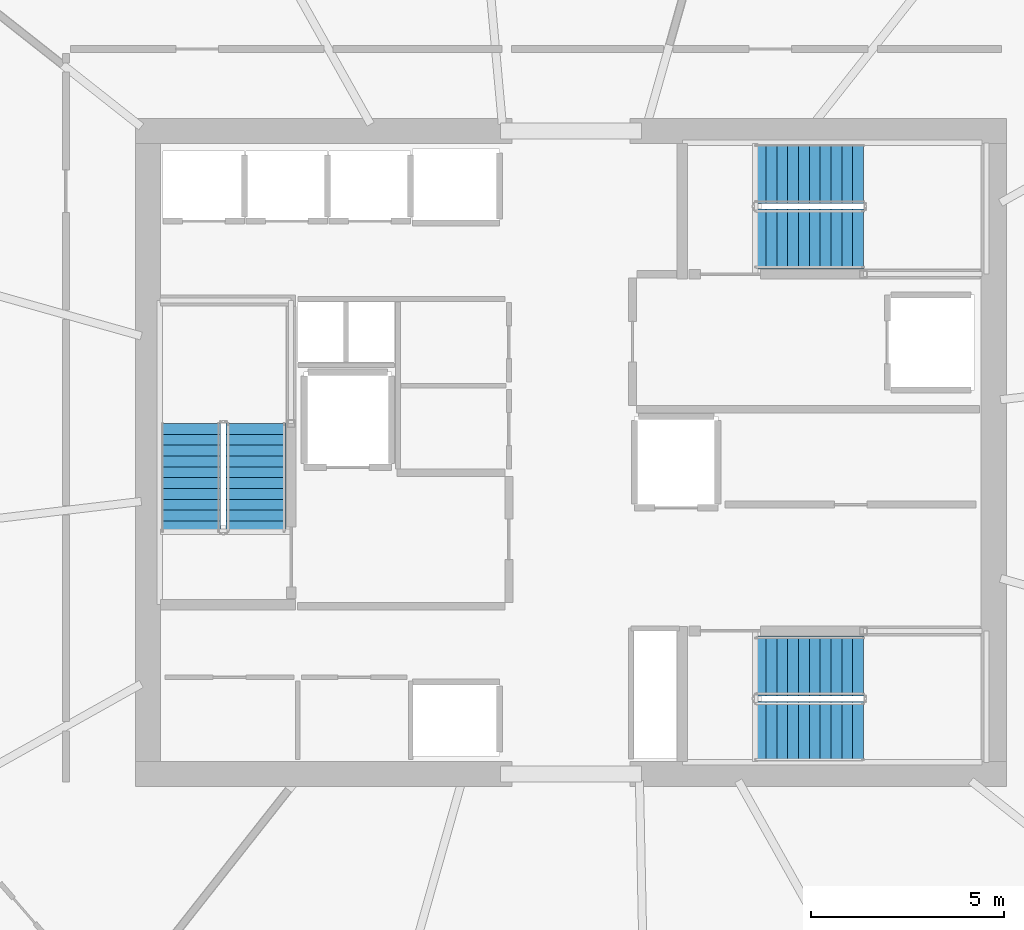
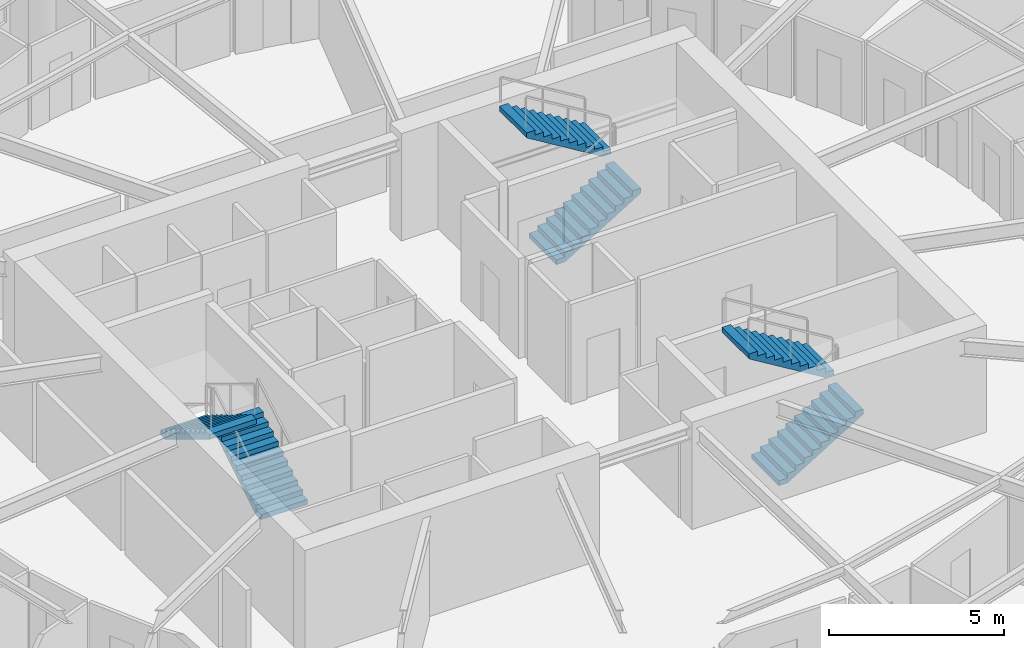
# One storey, part 16 of 21: 6 stair flights, 3 elements without a shape of their own.
"""IFC4 building model written with IfcOpenShell, lengths in metres."""

from ifc_helpers import new_model, si_unit, direction, frame, origin, place, context, subcontext, project, spatial, polyline, outline, extrude, material, type_object, element, aggregate, save


model = new_model("IFC4")

# Units and contexts
model_context = context("Model", 3, precision=1e-05, world=origin(), true_north=direction((0.0, 1.0)))
body_context = subcontext(model_context, "Body", "Model", "MODEL_VIEW")
ifc_project = project(units=[si_unit("LENGTHUNIT", "METRE"), si_unit("AREAUNIT", "SQUARE_METRE"), si_unit("VOLUMEUNIT", "CUBIC_METRE"), si_unit("PLANEANGLEUNIT", "RADIAN"), si_unit("MASSUNIT", "GRAM", prefix="KILO")], contexts=[model_context])

# Site, building, storey
site_placement = place(None, origin())
site = spatial("IfcSite", under=ifc_project, at=site_placement, CompositionType="ELEMENT")
building_placement = place(site_placement, origin())
building = spatial("IfcBuilding", under=site, at=building_placement, Name="Kazma Halo Residences", CompositionType="ELEMENT")
storey_placement = place(building_placement, frame((0.0, 0.0, 187.800048828125)))
storey = spatial("IfcBuildingStorey", under=building, at=storey_placement, Name="L47", CompositionType="ELEMENT", Elevation=187.800048828125)

# Stair, stair flights
ifc_material = material(Name="Concrete C50/60", Category="concrete")
stair_type = type_object("IfcStairType", Name="STR-RES1", PredefinedType="HALF_TURN_STAIR", material=ifc_material)
stair_1_placement = place(storey_placement, origin())
stair_1 = element("IfcStair", 1, at=stair_1_placement, inside=storey, type_object=stair_type, Name="L47 Core exit stair ST-01", PredefinedType="HALF_TURN_STAIR")
stair_flight_type = type_object("IfcStairFlightType", Name="STR-RES1-FLT", PredefinedType="STRAIGHT", material=ifc_material)
stair_flight_1_placement = place(storey_placement, frame((40.27490234375, 39.949951171875, 0.0), z_axis=(0.0, 0.0, 1.0), x_axis=(0.0, 1.0, 0.0)))
stair_flight_1 = element("IfcStairFlight", 2, at=stair_flight_1_placement, type_object=stair_flight_type, Name="ST-01 flight 1", NumberOfRisers=11, NumberOfTreads=10, PredefinedType="STRAIGHT", RiserHeight=0.170454545, TreadLength=0.28, context=body_context, shape_type="SweptSolid", body=[
    extrude(outline(polyline([(0.0, 0.0), (0.0, 0.17041015625), (0.280029296875, 0.17041015625), (0.280029296875, 0.3408203125), (0.56005859375, 0.3408203125), (0.56005859375, 0.511474609375), (0.840087890625, 0.511474609375), (0.840087890625, 0.681884765625), (1.1201171875, 0.681884765625), (1.1201171875, 0.852294921875), (1.39990234375, 0.852294921875), (1.39990234375, 1.022705078125), (1.679931640625, 1.022705078125), (1.679931640625, 1.193115234375), (1.9599609375, 1.193115234375), (1.9599609375, 1.363525390625), (2.239990234375, 1.363525390625), (2.239990234375, 1.5341796875), (2.52001953125, 1.5341796875), (2.52001953125, 1.70458984375), (2.800048828125, 1.70458984375), (2.800048828125, 1.875), (2.800048828125, 1.529052734375), (0.288330078125, 0.0), (0.0, 0.0)])), frame((0.0, 0.77490234375, 0.0), z_axis=(0.0, -1.0, 0.0), x_axis=(1.0, 0.0, 0.0)), (0.0, 0.0, 1.0), 1.550048828125),
])
stair_flight_2_placement = place(storey_placement, frame((38.574951171875, 42.75, 1.875), z_axis=(0.0, 0.0, 1.0), x_axis=(0.0, -1.0, 0.0)))
stair_flight_2 = element("IfcStairFlight", 3, at=stair_flight_2_placement, type_object=stair_flight_type, Name="ST-01 flight 2", NumberOfRisers=11, NumberOfTreads=10, PredefinedType="STRAIGHT", RiserHeight=0.170454545, TreadLength=0.28, context=body_context, shape_type="SweptSolid", body=[
    extrude(outline(polyline([(0.0, 0.0), (0.0, 0.17041015625), (0.280029296875, 0.17041015625), (0.280029296875, 0.3408203125), (0.56005859375, 0.3408203125), (0.56005859375, 0.511474609375), (0.840087890625, 0.511474609375), (0.840087890625, 0.681884765625), (1.1201171875, 0.681884765625), (1.1201171875, 0.852294921875), (1.39990234375, 0.852294921875), (1.39990234375, 1.022705078125), (1.679931640625, 1.022705078125), (1.679931640625, 1.193115234375), (1.9599609375, 1.193115234375), (1.9599609375, 1.363525390625), (2.239990234375, 1.363525390625), (2.239990234375, 1.5341796875), (2.52001953125, 1.5341796875), (2.52001953125, 1.70458984375), (2.800048828125, 1.70458984375), (2.800048828125, 1.875), (2.800048828125, 1.529052734375), (0.288330078125, 0.0), (0.0, 0.0)])), frame((0.0, 0.77490234375, 0.0), z_axis=(0.0, -1.0, 0.0), x_axis=(1.0, 0.0, 0.0)), (0.0, 0.0, 1.0), 1.550048828125),
])
aggregate(stair_1, [stair_flight_1, stair_flight_2])

stair_2_placement = place(storey_placement, origin())
stair_2 = element("IfcStair", 4, at=stair_2_placement, inside=storey, type_object=stair_type, Name="L47 Core exit stair ST-02", PredefinedType="HALF_TURN_STAIR")
stair_flight_3_placement = place(storey_placement, frame((53.199951171875, 47.52490234375, 0.0), z_axis=(0.0, 0.0, 1.0), x_axis=(1.0, 0.0, 0.0)))
stair_flight_3 = element("IfcStairFlight", 5, at=stair_flight_3_placement, type_object=stair_flight_type, Name="ST-02 flight 1", NumberOfRisers=11, NumberOfTreads=10, PredefinedType="STRAIGHT", RiserHeight=0.170454545, TreadLength=0.28, context=body_context, shape_type="SweptSolid", body=[
    extrude(outline(polyline([(0.0, 0.0), (0.0, 0.17041015625), (0.280029296875, 0.17041015625), (0.280029296875, 0.3408203125), (0.56005859375, 0.3408203125), (0.56005859375, 0.511474609375), (0.840087890625, 0.511474609375), (0.840087890625, 0.681884765625), (1.1201171875, 0.681884765625), (1.1201171875, 0.852294921875), (1.39990234375, 0.852294921875), (1.39990234375, 1.022705078125), (1.679931640625, 1.022705078125), (1.679931640625, 1.193115234375), (1.9599609375, 1.193115234375), (1.9599609375, 1.363525390625), (2.239990234375, 1.363525390625), (2.239990234375, 1.5341796875), (2.52001953125, 1.5341796875), (2.52001953125, 1.70458984375), (2.800048828125, 1.70458984375), (2.800048828125, 1.875), (2.800048828125, 1.529052734375), (0.288330078125, 0.0), (0.0, 0.0)])), frame((0.0, 0.77490234375, 0.0), z_axis=(0.0, -1.0, 0.0), x_axis=(1.0, 0.0, 0.0)), (0.0, 0.0, 1.0), 1.550048828125),
])
stair_flight_4_placement = place(storey_placement, frame((56.0, 49.22509765625, 1.875), z_axis=(0.0, 0.0, 1.0), x_axis=(-1.0, 0.0, 0.0)))
stair_flight_4 = element("IfcStairFlight", 6, at=stair_flight_4_placement, type_object=stair_flight_type, Name="ST-02 flight 2", NumberOfRisers=11, NumberOfTreads=10, PredefinedType="STRAIGHT", RiserHeight=0.170454545, TreadLength=0.28, context=body_context, shape_type="SweptSolid", body=[
    extrude(outline(polyline([(0.0, 0.0), (0.0, 0.17041015625), (0.280029296875, 0.17041015625), (0.280029296875, 0.3408203125), (0.56005859375, 0.3408203125), (0.56005859375, 0.511474609375), (0.840087890625, 0.511474609375), (0.840087890625, 0.681884765625), (1.1201171875, 0.681884765625), (1.1201171875, 0.852294921875), (1.39990234375, 0.852294921875), (1.39990234375, 1.022705078125), (1.679931640625, 1.022705078125), (1.679931640625, 1.193115234375), (1.9599609375, 1.193115234375), (1.9599609375, 1.363525390625), (2.239990234375, 1.363525390625), (2.239990234375, 1.5341796875), (2.52001953125, 1.5341796875), (2.52001953125, 1.70458984375), (2.800048828125, 1.70458984375), (2.800048828125, 1.875), (2.800048828125, 1.529052734375), (0.288330078125, 0.0), (0.0, 0.0)])), frame((0.0, 0.77490234375, 0.0), z_axis=(0.0, -1.0, 0.0), x_axis=(1.0, 0.0, 0.0)), (0.0, 0.0, 1.0), 1.550048828125),
])
aggregate(stair_2, [stair_flight_3, stair_flight_4])

stair_3_placement = place(storey_placement, origin())
stair_3 = element("IfcStair", 7, at=stair_3_placement, inside=storey, type_object=stair_type, Name="L47 Core exit stair ST-03", PredefinedType="HALF_TURN_STAIR")
stair_flight_5_placement = place(storey_placement, frame((53.199951171875, 34.77490234375, 0.0), z_axis=(0.0, 0.0, 1.0), x_axis=(1.0, 0.0, 0.0)))
stair_flight_5 = element("IfcStairFlight", 8, at=stair_flight_5_placement, type_object=stair_flight_type, Name="ST-03 flight 1", NumberOfRisers=11, NumberOfTreads=10, PredefinedType="STRAIGHT", RiserHeight=0.170454545, TreadLength=0.28, context=body_context, shape_type="SweptSolid", body=[
    extrude(outline(polyline([(0.0, 0.0), (0.0, 0.17041015625), (0.280029296875, 0.17041015625), (0.280029296875, 0.3408203125), (0.56005859375, 0.3408203125), (0.56005859375, 0.511474609375), (0.840087890625, 0.511474609375), (0.840087890625, 0.681884765625), (1.1201171875, 0.681884765625), (1.1201171875, 0.852294921875), (1.39990234375, 0.852294921875), (1.39990234375, 1.022705078125), (1.679931640625, 1.022705078125), (1.679931640625, 1.193115234375), (1.9599609375, 1.193115234375), (1.9599609375, 1.363525390625), (2.239990234375, 1.363525390625), (2.239990234375, 1.5341796875), (2.52001953125, 1.5341796875), (2.52001953125, 1.70458984375), (2.800048828125, 1.70458984375), (2.800048828125, 1.875), (2.800048828125, 1.529052734375), (0.288330078125, 0.0), (0.0, 0.0)])), frame((0.0, 0.77490234375, 0.0), z_axis=(0.0, -1.0, 0.0), x_axis=(1.0, 0.0, 0.0)), (0.0, 0.0, 1.0), 1.550048828125),
])
stair_flight_6_placement = place(storey_placement, frame((56.0, 36.47509765625, 1.875), z_axis=(0.0, 0.0, 1.0), x_axis=(-1.0, 0.0, 0.0)))
stair_flight_6 = element("IfcStairFlight", 9, at=stair_flight_6_placement, type_object=stair_flight_type, Name="ST-03 flight 2", NumberOfRisers=11, NumberOfTreads=10, PredefinedType="STRAIGHT", RiserHeight=0.170454545, TreadLength=0.28, context=body_context, shape_type="SweptSolid", body=[
    extrude(outline(polyline([(0.0, 0.0), (0.0, 0.17041015625), (0.280029296875, 0.17041015625), (0.280029296875, 0.3408203125), (0.56005859375, 0.3408203125), (0.56005859375, 0.511474609375), (0.840087890625, 0.511474609375), (0.840087890625, 0.681884765625), (1.1201171875, 0.681884765625), (1.1201171875, 0.852294921875), (1.39990234375, 0.852294921875), (1.39990234375, 1.022705078125), (1.679931640625, 1.022705078125), (1.679931640625, 1.193115234375), (1.9599609375, 1.193115234375), (1.9599609375, 1.363525390625), (2.239990234375, 1.363525390625), (2.239990234375, 1.5341796875), (2.52001953125, 1.5341796875), (2.52001953125, 1.70458984375), (2.800048828125, 1.70458984375), (2.800048828125, 1.875), (2.800048828125, 1.529052734375), (0.288330078125, 0.0), (0.0, 0.0)])), frame((0.0, 0.77490234375, 0.0), z_axis=(0.0, -1.0, 0.0), x_axis=(1.0, 0.0, 0.0)), (0.0, 0.0, 1.0), 1.550048828125),
])
aggregate(stair_3, [stair_flight_5, stair_flight_6])

save(model, "model.ifc")
